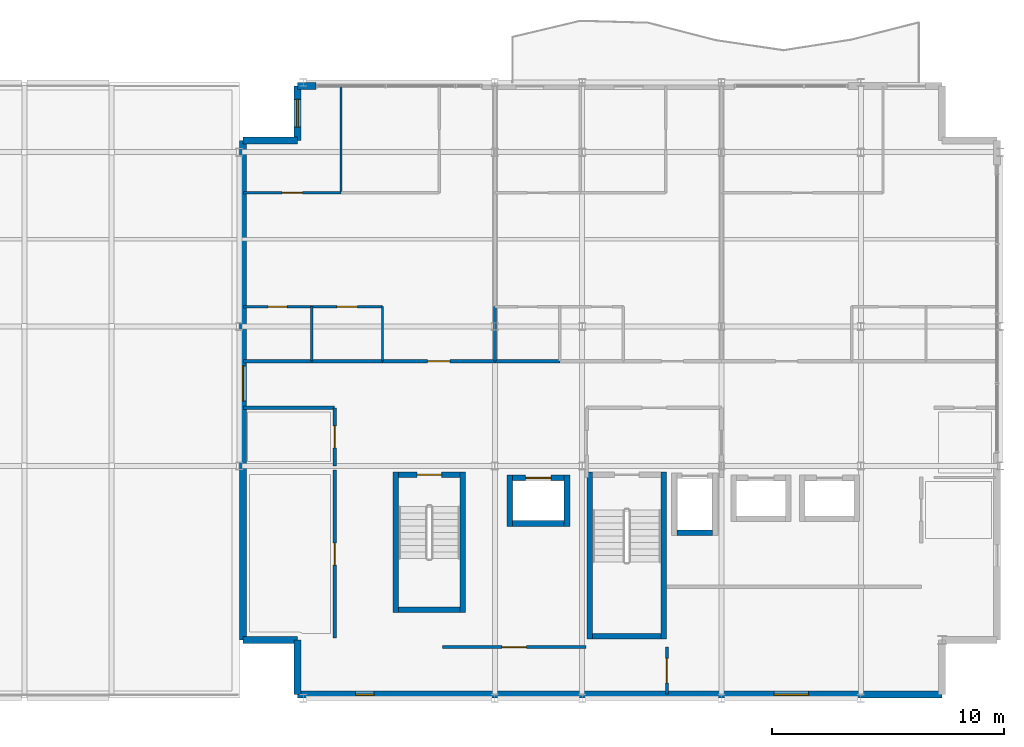
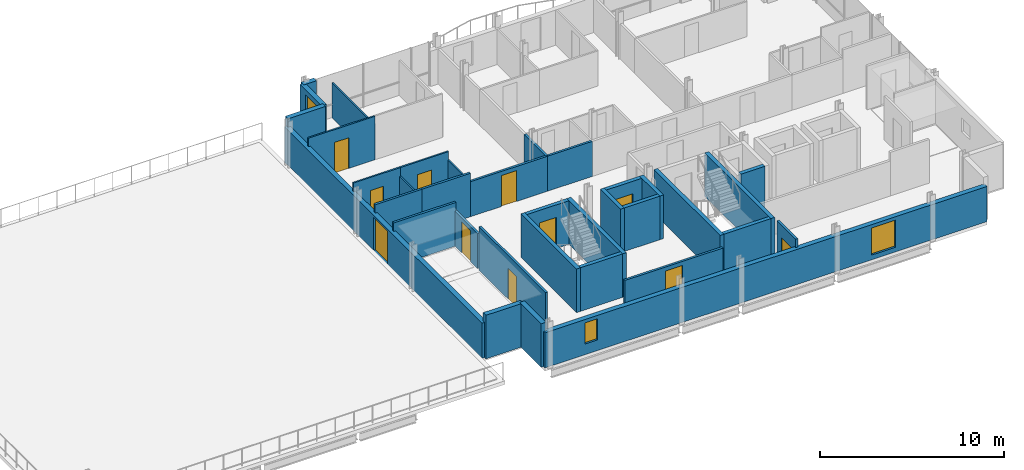
# One storey, part 13 of 17: 35 walls, 11 doors, 3 windows, 14 openings.
"""IFC4 building model written with IfcOpenShell, lengths in metres."""

from ifc_helpers import new_model, si_unit, direction, frame, frame_2d, origin, place, context, subcontext, project, spatial, rectangle, extrude, material, layer, layer_set, type_object, element, fill, save


model = new_model("IFC4")

# Units and contexts
model_context = context("Model", 3, precision=1e-05, world=origin(), true_north=direction((0.0, 1.0)))
body_context = subcontext(model_context, "Body", "Model", "MODEL_VIEW")
ifc_project = project(units=[si_unit("LENGTHUNIT", "METRE"), si_unit("AREAUNIT", "SQUARE_METRE"), si_unit("VOLUMEUNIT", "CUBIC_METRE"), si_unit("PLANEANGLEUNIT", "RADIAN"), si_unit("MASSUNIT", "GRAM", prefix="KILO")], contexts=[model_context])

# Site, building, storey
site_placement = place(None, origin())
site = spatial("IfcSite", under=ifc_project, at=site_placement, CompositionType="ELEMENT")
building_placement = place(site_placement, origin())
building = spatial("IfcBuilding", under=site, at=building_placement, Name="Brevholm Reach", CompositionType="ELEMENT")
storey_placement = place(building_placement, frame((0.0, 0.0, 221.10009765625)))
storey = spatial("IfcBuildingStorey", under=building, at=storey_placement, Name="L67", CompositionType="ELEMENT", Elevation=221.10009765625)

# Walls
ifc_material_1 = material(Name="Concrete C45/55", Category="concrete")
ifc_layer_1 = layer(ifc_material_1, 0.239990234375)
ifc_layer_set_1 = layer_set([ifc_layer_1], Name="Concrete C45/55")
wall_type_1 = type_object("IfcWallType", Name="WAL-COR-240", PredefinedType="SHEAR", material=ifc_layer_set_1)
for number, where, z_axis, x_axis, name in (
    (1, (42.330078125, 2.5400390625, 0.0), (0.0, 0.0, 1.0), (0.0, 1.0, 0.0), "L67 Escape Stair ST-2 Core Wall W"),
    (2, (45.52001953125, 2.5400390625, 0.0), (0.0, 0.0, 1.0), (0.0, 1.0, 0.0), "L67 Escape Stair ST-2 Core Wall E"),
):
    element("IfcWall", number, at=place(storey_placement, frame(where, z_axis=z_axis, x_axis=x_axis)), inside=storey, type_object=wall_type_1, Name=name, PredefinedType="SHEAR", context=body_context, shape_type="SweptSolid", body=[
        extrude(rectangle(XDim=7.199951171875, YDim=0.239990234375, at=frame_2d((3.60009765625, 0.0))), origin(), (0.0, 0.0, 1.0), 2.889892578125),
    ])
wall_1_placement = place(storey_placement, frame((42.449951171875, 2.659912109375, 0.0), z_axis=(0.0, 0.0, 1.0), x_axis=(1.0, 0.0, 0.0)))
element("IfcWall", 3, at=wall_1_placement, inside=storey, type_object=wall_type_1, Name="L67 Escape Stair ST-2 Core Wall S", PredefinedType="SHEAR", context=body_context, shape_type="SweptSolid", body=[
    extrude(rectangle(XDim=2.949951171875, YDim=0.239990234375, at=frame_2d((1.47509765625, 0.0))), origin(), (0.0, 0.0, 1.0), 2.889892578125),
])
for number, where, z_axis, x_axis, name in (
    (4, (33.97998046875, 3.679931640625, 0.0), (0.0, 0.0, 1.0), (0.0, 1.0, 0.0), "L67 Escape Stair ST-3 Core Wall W"),
    (5, (36.8701171875, 3.679931640625, 0.0), (0.0, 0.0, 1.0), (0.0, 1.0, 0.0), "L67 Escape Stair ST-3 Core Wall E"),
):
    element("IfcWall", number, at=place(storey_placement, frame(where, z_axis=z_axis, x_axis=x_axis)), inside=storey, type_object=wall_type_1, Name=name, PredefinedType="SHEAR", context=body_context, shape_type="SweptSolid", body=[
        extrude(rectangle(XDim=6.06005859375, YDim=0.239990234375, at=frame_2d((3.030029296875, 0.0))), origin(), (0.0, 0.0, 1.0), 2.889892578125),
    ])
wall_2_placement = place(storey_placement, frame((34.10009765625, 3.800048828125, 0.0), z_axis=(0.0, 0.0, 1.0), x_axis=(1.0, 0.0, 0.0)))
element("IfcWall", 6, at=wall_2_placement, inside=storey, type_object=wall_type_1, Name="L67 Escape Stair ST-3 Core Wall S", PredefinedType="SHEAR", context=body_context, shape_type="SweptSolid", body=[
    extrude(rectangle(XDim=2.64990234375, YDim=0.239990234375, at=frame_2d((1.324951171875, 0.0))), origin(), (0.0, 0.0, 1.0), 2.889892578125),
])

# Wall, opening, door
wall_3_placement = place(storey_placement, frame((36.75, 9.6201171875, 0.0), z_axis=(0.0, 0.0, 1.0), x_axis=(-1.0, 0.0, 0.0)))
wall_3 = element("IfcWall", 7, at=wall_3_placement, inside=storey, type_object=wall_type_1, Name="L67 Escape Stair ST-3 Core Wall N", PredefinedType="SHEAR", context=body_context, shape_type="SweptSolid", body=[
    extrude(rectangle(XDim=2.64990234375, YDim=0.239990234375, at=frame_2d((1.324951171875, 0.0))), origin(), (0.0, 0.0, 1.0), 2.889892578125),
])
opening_1_placement = place(wall_3_placement, frame((0.800048828125, 0.0, 0.0)))
opening_1 = element("IfcOpeningElement", 8, at=opening_1_placement, cuts=wall_3, Name="Opening SD-ST-3", PredefinedType="OPENING", context=body_context, shape_type="SweptSolid", body=[
    extrude(rectangle(XDim=1.050048828125, YDim=2.06005859375, at=frame_2d((0.52490234375, 1.030029296875))), frame((0.0, 0.1298828125, 0.0), z_axis=(0.0, -1.0, 0.0), x_axis=(1.0, 0.0, 0.0)), (0.0, 0.0, 1.0), 0.260009765625),
])
ifc_material_2 = material(Name="Hardwood-Lipped Steel-Core Fire and Smoke Door", Category="steel")
door_type_1 = type_object("IfcDoorType", Name="DOR-INT-FD60S", OperationType="NOTDEFINED", PredefinedType="DOOR", material=ifc_material_2)
door_1_placement = place(opening_1_placement, origin())
door_1 = element("IfcDoor", 9, at=door_1_placement, inside=storey, type_object=door_type_1, Name="L67 Protected Stair ST-3 Lobby Door", OperationType="SINGLE_SWING_RIGHT", OverallHeight=2.06005859375, OverallWidth=1.050048828125, PredefinedType="DOOR", context=body_context, shape_type="SweptSolid", body=[
    extrude(rectangle(XDim=1.050048828125, YDim=2.06005859375, at=frame_2d((0.52490234375, 1.030029296875))), frame((0.0, 0.02490234375, 0.0), z_axis=(0.0, -1.0, 0.0), x_axis=(1.0, 0.0, 0.0)), (0.0, 0.0, 1.0), 0.050048828125),
])
fill(opening_1, door_1)

# Walls
wall_4_placement = place(storey_placement, frame((46.090087890625, 7.1201171875, 0.0), z_axis=(0.0, 0.0, 1.0), x_axis=(1.0, 0.0, 0.0)))
element("IfcWall", 10, at=wall_4_placement, inside=storey, type_object=wall_type_1, Name="L67 Lift FFL-2 Shaft Wall S", PredefinedType="SHEAR", context=body_context, shape_type="SweptSolid", body=[
    extrude(rectangle(XDim=1.52001953125, YDim=0.239990234375, at=frame_2d((0.760009765625, 0.0))), origin(), (0.0, 0.0, 1.0), 2.889892578125),
])
for number, where, z_axis, x_axis, name in (
    (11, (38.889892578125, 7.39990234375, 0.0), (0.0, 0.0, 1.0), (0.0, 1.0, 0.0), "L67 Lift PL-S1 Shaft Wall W"),
    (12, (41.35009765625, 7.39990234375, 0.0), (0.0, 0.0, 1.0), (0.0, 1.0, 0.0), "L67 Lift PL-S1 Shaft Wall E"),
):
    element("IfcWall", number, at=place(storey_placement, frame(where, z_axis=z_axis, x_axis=x_axis)), inside=storey, type_object=wall_type_1, Name=name, PredefinedType="SHEAR", context=body_context, shape_type="SweptSolid", body=[
        extrude(rectangle(XDim=2.2001953125, YDim=0.239990234375, at=frame_2d((1.10009765625, 0.0))), origin(), (0.0, 0.0, 1.0), 2.889892578125),
    ])
wall_5_placement = place(storey_placement, frame((39.010009765625, 7.52001953125, 0.0), z_axis=(0.0, 0.0, 1.0), x_axis=(1.0, 0.0, 0.0)))
element("IfcWall", 13, at=wall_5_placement, inside=storey, type_object=wall_type_1, Name="L67 Lift PL-S1 Shaft Wall S", PredefinedType="SHEAR", context=body_context, shape_type="SweptSolid", body=[
    extrude(rectangle(XDim=2.219970703125, YDim=0.239990234375, at=frame_2d((1.10986328125, 0.0))), origin(), (0.0, 0.0, 1.0), 2.889892578125),
])

# Wall, opening, door
wall_6_placement = place(storey_placement, frame((39.010009765625, 9.47998046875, 0.0), z_axis=(0.0, 0.0, 1.0), x_axis=(1.0, 0.0, 0.0)))
wall_6 = element("IfcWall", 14, at=wall_6_placement, inside=storey, type_object=wall_type_1, Name="L67 Lift PL-S1 Shaft Wall N", PredefinedType="SHEAR", context=body_context, shape_type="SweptSolid", body=[
    extrude(rectangle(XDim=2.219970703125, YDim=0.239990234375, at=frame_2d((1.10986328125, 0.0))), origin(), (0.0, 0.0, 1.0), 2.889892578125),
])
opening_2_placement = place(wall_6_placement, frame((0.56005859375, 0.0, 0.0)))
opening_2 = element("IfcOpeningElement", 15, at=opening_2_placement, cuts=wall_6, Name="Opening LD-PL-S1", PredefinedType="OPENING", context=body_context, shape_type="SweptSolid", body=[
    extrude(rectangle(XDim=1.10009765625, YDim=2.06005859375, at=frame_2d((0.550048828125, 1.030029296875))), frame((0.0, 0.1298828125, 0.0), z_axis=(0.0, -1.0, 0.0), x_axis=(1.0, 0.0, 0.0)), (0.0, 0.0, 1.0), 0.260009765625),
])
ifc_material_3 = material(Name="Brushed Stainless Steel Fire-Rated Sliding Lift Door", Category="steel")
door_type_2 = type_object("IfcDoorType", Name="DOR-LFT-1100", OperationType="NOTDEFINED", PredefinedType="DOOR", material=ifc_material_3)
door_2_placement = place(opening_2_placement, origin())
door_2 = element("IfcDoor", 16, at=door_2_placement, inside=storey, type_object=door_type_2, Name="L67 Lift PL-S1 Sliding Landing Door", OperationType="SLIDING_TO_LEFT", OverallHeight=2.06005859375, OverallWidth=1.10009765625, PredefinedType="DOOR", context=body_context, shape_type="SweptSolid", body=[
    extrude(rectangle(XDim=1.10009765625, YDim=2.06005859375, at=frame_2d((0.550048828125, 1.030029296875))), frame((0.0, 0.02490234375, 0.0), z_axis=(0.0, -1.0, 0.0), x_axis=(1.0, 0.0, 0.0)), (0.0, 0.0, 1.0), 0.050048828125),
])
fill(opening_2, door_2)

# Walls
ifc_material_4 = material(Name="Concrete C40/50", Category="concrete")
ifc_layer_2 = layer(ifc_material_4, 0.300048828125)
ifc_layer_set_2 = layer_set([ifc_layer_2], Name="Concrete C40/50")
wall_type_2 = type_object("IfcWallType", Name="WAL-EXT-300", PredefinedType="STANDARD", material=ifc_layer_set_2)
for number, where, z_axis, x_axis, name in (
    (17, (29.75, 2.5, 0.0), (0.0, 0.0, 1.0), (0.0, -1.0, 0.0), "L67 Facade Wall WAL-L67-CSW1"),
    (18, (27.39990234375, 2.5, 0.0), (0.0, 0.0, 1.0), (1.0, 0.0, 0.0), "L67 Facade Wall WAL-L67-CSW2"),
):
    element("IfcWall", number, at=place(storey_placement, frame(where, z_axis=z_axis, x_axis=x_axis)), inside=storey, type_object=wall_type_2, Name=name, PredefinedType="STANDARD", context=body_context, shape_type="SweptSolid", body=[
        extrude(rectangle(XDim=2.35009765625, YDim=0.300048828125, at=frame_2d((1.175048828125, 0.0))), origin(), (0.0, 0.0, 1.0), 2.889892578125),
    ])

# Wall, opening, window
wall_7_placement = place(storey_placement, frame((29.75, 26.35009765625, 0.0), z_axis=(0.0, 0.0, 1.0), x_axis=(0.0, -1.0, 0.0)))
wall_7 = element("IfcWall", 19, at=wall_7_placement, inside=storey, type_object=wall_type_2, Name="L67 Facade Wall WAL-L67-CNW1", PredefinedType="STANDARD", context=body_context, shape_type="SweptSolid", body=[
    extrude(rectangle(XDim=2.35009765625, YDim=0.300048828125, at=frame_2d((1.175048828125, 0.0))), origin(), (0.0, 0.0, 1.0), 2.889892578125),
])
opening_3_placement = place(wall_7_placement, frame((0.574951171875, 0.0, 0.949951171875)))
opening_3 = element("IfcOpeningElement", 20, at=opening_3_placement, cuts=wall_7, Name="Opening WN-08", PredefinedType="OPENING", context=body_context, shape_type="SweptSolid", body=[
    extrude(rectangle(XDim=1.199951171875, YDim=1.60009765625, at=frame_2d((0.60009765625, 0.800048828125))), frame((0.0, 0.159912109375, 0.0), z_axis=(0.0, -1.0, 0.0), x_axis=(1.0, 0.0, 0.0)), (0.0, 0.0, 1.0), 0.320068359375),
])
ifc_material_5 = material(Name="Dark Anodised Aluminium and Solar-Control IGU Glass", Category="aluminium")
window_type_1 = type_object("IfcWindowType", Name="WIN-RES-1200", PartitioningType="SINGLE_PANEL", PredefinedType="WINDOW", material=ifc_material_5)
window_1_placement = place(opening_3_placement, origin())
window_1 = element("IfcWindow", 21, at=window_1_placement, inside=storey, type_object=window_type_1, Name="L67 Bedroom Window 075", OverallHeight=1.60009765625, OverallWidth=1.199951171875, PartitioningType="SINGLE_PANEL", PredefinedType="WINDOW", context=body_context, shape_type="SweptSolid", body=[
    extrude(rectangle(XDim=1.199951171875, YDim=1.60009765625, at=frame_2d((0.60009765625, 0.800048828125))), frame((0.0, 0.030029296875, 0.0), z_axis=(0.0, -1.0, 0.0), x_axis=(1.0, 0.0, 0.0)), (0.0, 0.0, 1.0), 0.06005859375),
])
fill(opening_3, window_1)

# Wall
wall_8_placement = place(storey_placement, frame((29.75, 24.0, 0.0), z_axis=(0.0, 0.0, 1.0), x_axis=(-1.0, 0.0, 0.0)))
element("IfcWall", 22, at=wall_8_placement, inside=storey, type_object=wall_type_2, Name="L67 Facade Wall WAL-L67-CNW2", PredefinedType="STANDARD", context=body_context, shape_type="SweptSolid", body=[
    extrude(rectangle(XDim=2.35009765625, YDim=0.300048828125, at=frame_2d((1.175048828125, 0.0))), origin(), (0.0, 0.0, 1.0), 2.889892578125),
])

# Wall, openings, windows
wall_9_placement = place(storey_placement, frame((29.75, 0.14990234375, 0.0), z_axis=(0.0, 0.0, 1.0), x_axis=(1.0, 0.0, 0.0)))
wall_9 = element("IfcWall", 23, at=wall_9_placement, inside=storey, type_object=wall_type_2, Name="L67 Facade Wall WAL-L67-S", PredefinedType="STANDARD", context=body_context, shape_type="SweptSolid", body=[
    extrude(rectangle(XDim=27.75, YDim=0.300048828125, at=frame_2d((13.875, 0.0))), origin(), (0.0, 0.0, 1.0), 2.331787109375),
])
opening_4_placement = place(wall_9_placement, frame((2.5, 0.0, 0.7119140625)))
opening_4 = element("IfcOpeningElement", 24, at=opening_4_placement, cuts=wall_9, Name="Opening WN-11", PredefinedType="OPENING", context=body_context, shape_type="SweptSolid", body=[
    extrude(rectangle(XDim=0.800048828125, YDim=1.39990234375, at=frame_2d((0.39990234375, 0.699951171875))), frame((0.0, 0.159912109375, 0.0), z_axis=(0.0, -1.0, 0.0), x_axis=(1.0, 0.0, 0.0)), (0.0, 0.0, 1.0), 0.320068359375),
])
opening_5_placement = place(wall_9_placement, frame((20.5, 0.0, 0.31201171875)))
opening_5 = element("IfcOpeningElement", 25, at=opening_5_placement, cuts=wall_9, Name="Opening WN-05", PredefinedType="OPENING", context=body_context, shape_type="SweptSolid", body=[
    extrude(rectangle(XDim=1.5, YDim=1.800048828125, at=frame_2d((0.75, 0.89990234375))), frame((0.0, 0.159912109375, 0.0), z_axis=(0.0, -1.0, 0.0), x_axis=(1.0, 0.0, 0.0)), (0.0, 0.0, 1.0), 0.320068359375),
])
ifc_material_6 = material(Name="Dark Anodised Aluminium and Solar-Control IGU Glass", Category="aluminium")
window_type_2 = type_object("IfcWindowType", Name="WIN-COR-0800", PartitioningType="SINGLE_PANEL", PredefinedType="WINDOW", material=ifc_material_6)
window_2_placement = place(opening_4_placement, origin())
window_2 = element("IfcWindow", 26, at=window_2_placement, inside=storey, type_object=window_type_2, Name="L67 Window WIN-L67-S-1", OverallHeight=1.39990234375, OverallWidth=0.800048828125, PartitioningType="SINGLE_PANEL", PredefinedType="WINDOW", context=body_context, shape_type="SweptSolid", body=[
    extrude(rectangle(XDim=0.800048828125, YDim=1.39990234375, at=frame_2d((0.39990234375, 0.699951171875))), frame((0.0, 0.030029296875, 0.0), z_axis=(0.0, -1.0, 0.0), x_axis=(1.0, 0.0, 0.0)), (0.0, 0.0, 1.0), 0.06005859375),
])
fill(opening_4, window_2)
ifc_material_7 = material(Name="Dark Anodised Aluminium and Solar-Control IGU Glass", Category="aluminium")
window_type_3 = type_object("IfcWindowType", Name="WIN-RES-1500", PartitioningType="SINGLE_PANEL", PredefinedType="WINDOW", material=ifc_material_7)
window_3_placement = place(opening_5_placement, origin())
window_3 = element("IfcWindow", 27, at=window_3_placement, inside=storey, type_object=window_type_3, Name="L67 Window WIN-L67-S-2", OverallHeight=1.800048828125, OverallWidth=1.5, PartitioningType="SINGLE_PANEL", PredefinedType="WINDOW", context=body_context, shape_type="SweptSolid", body=[
    extrude(rectangle(XDim=1.5, YDim=1.800048828125, at=frame_2d((0.75, 0.89990234375))), frame((0.0, 0.030029296875, 0.0), z_axis=(0.0, -1.0, 0.0), x_axis=(1.0, 0.0, 0.0)), (0.0, 0.0, 1.0), 0.06005859375),
])
fill(opening_5, window_3)

# Wall
wall_10_placement = place(storey_placement, frame((29.75, 26.35009765625, 0.0), z_axis=(0.0, 0.0, 1.0), x_axis=(1.0, 0.0, 0.0)))
element("IfcWall", 28, at=wall_10_placement, inside=storey, type_object=wall_type_2, Name="L67 Facade Wall WAL-L67-NP-1", PredefinedType="STANDARD", context=body_context, shape_type="SweptSolid", body=[
    extrude(rectangle(XDim=0.800048828125, YDim=0.300048828125, at=frame_2d((0.39990234375, 0.0))), origin(), (0.0, 0.0, 1.0), 2.889892578125),
])

# Wall, opening, door
wall_11_placement = place(storey_placement, frame((27.39990234375, 24.0, 0.0), z_axis=(0.0, 0.0, 1.0), x_axis=(0.0, -1.0, 0.0)))
wall_11 = element("IfcWall", 29, at=wall_11_placement, inside=storey, type_object=wall_type_2, Name="L67 Facade Wall WAL-L67-W", PredefinedType="STANDARD", context=body_context, shape_type="SweptSolid", body=[
    extrude(rectangle(XDim=21.5, YDim=0.300048828125, at=frame_2d((10.75, 0.0))), origin(), (0.0, 0.0, 1.0), 2.331787109375),
])
opening_6_placement = place(wall_11_placement, frame((9.699951171875, 0.0, 0.0)))
opening_6 = element("IfcOpeningElement", 30, at=opening_6_placement, cuts=wall_11, Name="Opening ED-04", PredefinedType="OPENING", context=body_context, shape_type="SweptSolid", body=[
    extrude(rectangle(XDim=1.5, YDim=2.199951171875, at=frame_2d((0.75, 1.10009765625))), frame((0.0, 0.159912109375, 0.0), z_axis=(0.0, -1.0, 0.0), x_axis=(1.0, 0.0, 0.0)), (0.0, 0.0, 1.0), 0.320068359375),
])
ifc_material_8 = material(Name="Dark Anodised Aluminium and Laminated Glass", Category="aluminium")
door_type_3 = type_object("IfcDoorType", Name="DOR-EXT-TER", OperationType="NOTDEFINED", PredefinedType="DOOR", material=ifc_material_8)
door_3_placement = place(opening_6_placement, origin())
door_3 = element("IfcDoor", 31, at=door_3_placement, inside=storey, type_object=door_type_3, Name="L67 Exterior Door DOR-L67-SUNSET", OperationType="SINGLE_SWING_LEFT", OverallHeight=2.199951171875, OverallWidth=1.5, PredefinedType="DOOR", context=body_context, shape_type="SweptSolid", body=[
    extrude(rectangle(XDim=1.5, YDim=2.199951171875, at=frame_2d((0.75, 1.10009765625))), frame((0.0, 0.02490234375, 0.0), z_axis=(0.0, -1.0, 0.0), x_axis=(1.0, 0.0, 0.0)), (0.0, 0.0, 1.0), 0.050048828125),
])
fill(opening_6, door_3)

# Wall
ifc_material_9 = material(Name="Moisture-Resistant Acoustic Gypsum Stud Partition 100 mm", Category="gypsum")
ifc_layer_3 = layer(ifc_material_9, 0.10009765625)
ifc_layer_set_3 = layer_set([ifc_layer_3], Name="Moisture-Resistant Acoustic Gypsum Stud Partition 100 mm")
wall_type_3 = type_object("IfcWallType", Name="WAL-PRT-100", PredefinedType="PARTITIONING", material=ifc_layer_set_3)
wall_12_placement = place(storey_placement, frame((30.3701171875, 14.50390625, 0.0), z_axis=(0.0, 0.0, 1.0), x_axis=(0.0, 1.0, 0.0)))
element("IfcWall", 32, at=wall_12_placement, inside=storey, type_object=wall_type_3, Name="L67 Internal Partition 023", PredefinedType="PARTITIONING", context=body_context, shape_type="SweptSolid", body=[
    extrude(rectangle(XDim=2.34619140625, YDim=0.10009765625, at=frame_2d((1.173095703125, 0.0))), origin(), (0.0, 0.0, 1.0), 2.325439453125),
])

# Wall, opening, door
wall_13_placement = place(storey_placement, frame((27.429931640625, 16.85009765625, 0.0), z_axis=(0.0, 0.0, 1.0), x_axis=(1.0, 0.0, 0.0)))
wall_13 = element("IfcWall", 33, at=wall_13_placement, inside=storey, type_object=wall_type_3, Name="L67 Internal Partition 024", PredefinedType="PARTITIONING", context=body_context, shape_type="SweptSolid", body=[
    extrude(rectangle(XDim=2.940185546875, YDim=0.10009765625, at=frame_2d((1.47021484375, 0.0))), origin(), (0.0, 0.0, 1.0), 2.889892578125),
])
opening_7_placement = place(wall_13_placement, frame((1.06005859375, 0.0, 0.0)))
opening_7 = element("IfcOpeningElement", 34, at=opening_7_placement, cuts=wall_13, Name="Opening ID-03", PredefinedType="OPENING", context=body_context, shape_type="SweptSolid", body=[
    extrude(rectangle(XDim=0.820068359375, YDim=2.02001953125, at=frame_2d((0.41015625, 1.010009765625))), frame((0.0, 0.06005859375, 0.0), z_axis=(0.0, -1.0, 0.0), x_axis=(1.0, 0.0, 0.0)), (0.0, 0.0, 1.0), 0.1201171875),
])
ifc_material_10 = material(Name="Moisture-Resistant Painted Timber Internal Bathroom Door", Category="wood")
door_type_4 = type_object("IfcDoorType", Name="DOR-BATH-820", OperationType="NOTDEFINED", PredefinedType="DOOR", material=ifc_material_10)
door_4_placement = place(opening_7_placement, origin())
door_4 = element("IfcDoor", 35, at=door_4_placement, inside=storey, type_object=door_type_4, Name="L67 Internal Door 013", OperationType="SINGLE_SWING_RIGHT", OverallHeight=2.02001953125, OverallWidth=0.820068359375, PredefinedType="DOOR", context=body_context, shape_type="SweptSolid", body=[
    extrude(rectangle(XDim=0.820068359375, YDim=2.02001953125, at=frame_2d((0.41015625, 1.010009765625))), frame((0.0, 0.02490234375, 0.0), z_axis=(0.0, -1.0, 0.0), x_axis=(1.0, 0.0, 0.0)), (0.0, 0.0, 1.0), 0.050048828125),
])
fill(opening_7, door_4)

# Wall
wall_14_placement = place(storey_placement, frame((33.407958984375, 14.50390625, 0.0), z_axis=(0.0, 0.0, 1.0), x_axis=(0.0, 1.0, 0.0)))
element("IfcWall", 36, at=wall_14_placement, inside=storey, type_object=wall_type_3, Name="L67 Internal Partition 025", PredefinedType="PARTITIONING", context=body_context, shape_type="SweptSolid", body=[
    extrude(rectangle(XDim=2.34619140625, YDim=0.10009765625, at=frame_2d((1.173095703125, 0.0))), origin(), (0.0, 0.0, 1.0), 2.325439453125),
])

# Wall, opening, door
wall_15_placement = place(storey_placement, frame((30.3740234375, 16.85009765625, 0.0), z_axis=(0.0, 0.0, 1.0), x_axis=(1.0, 0.0, 0.0)))
wall_15 = element("IfcWall", 37, at=wall_15_placement, inside=storey, type_object=wall_type_3, Name="L67 Internal Partition 026", PredefinedType="PARTITIONING", context=body_context, shape_type="SweptSolid", body=[
    extrude(rectangle(XDim=3.033935546875, YDim=0.10009765625, at=frame_2d((1.51708984375, 0.0))), origin(), (0.0, 0.0, 1.0), 2.889892578125),
])
opening_8_placement = place(wall_15_placement, frame((1.076904296875, 0.0, 0.0)))
opening_8 = element("IfcOpeningElement", 38, at=opening_8_placement, cuts=wall_15, Name="Opening ID-01", PredefinedType="OPENING", context=body_context, shape_type="SweptSolid", body=[
    extrude(rectangle(XDim=0.8798828125, YDim=2.0400390625, at=frame_2d((0.43994140625, 1.02001953125))), frame((0.0, 0.06005859375, 0.0), z_axis=(0.0, -1.0, 0.0), x_axis=(1.0, 0.0, 0.0)), (0.0, 0.0, 1.0), 0.1201171875),
])
ifc_material_11 = material(Name="Lacquered Ash Solid-Core Acoustic Internal Door", Category="timber")
door_type_5 = type_object("IfcDoorType", Name="DOR-INT-880", OperationType="NOTDEFINED", PredefinedType="DOOR", material=ifc_material_11)
door_5_placement = place(opening_8_placement, origin())
door_5 = element("IfcDoor", 39, at=door_5_placement, inside=storey, type_object=door_type_5, Name="L67 Internal Door 014", OperationType="SINGLE_SWING_LEFT", OverallHeight=2.0400390625, OverallWidth=0.8798828125, PredefinedType="DOOR", context=body_context, shape_type="SweptSolid", body=[
    extrude(rectangle(XDim=0.8798828125, YDim=2.0400390625, at=frame_2d((0.43994140625, 1.02001953125))), frame((0.0, 0.02490234375, 0.0), z_axis=(0.0, -1.0, 0.0), x_axis=(1.0, 0.0, 0.0)), (0.0, 0.0, 1.0), 0.050048828125),
])
fill(opening_8, door_5)

# Wall
wall_16_placement = place(storey_placement, frame((31.625, 21.75, 0.0), z_axis=(0.0, 0.0, 1.0), x_axis=(0.0, 1.0, 0.0)))
element("IfcWall", 40, at=wall_16_placement, inside=storey, type_object=wall_type_3, Name="L67 Internal Partition 027", PredefinedType="PARTITIONING", context=body_context, shape_type="SweptSolid", body=[
    extrude(rectangle(XDim=4.570068359375, YDim=0.10009765625, at=frame_2d((2.28515625, 0.0))), origin(), (0.0, 0.0, 1.0), 2.325439453125),
])

# Wall, opening, door
wall_17_placement = place(storey_placement, frame((27.429931640625, 21.75, 0.0), z_axis=(0.0, 0.0, 1.0), x_axis=(1.0, 0.0, 0.0)))
wall_17 = element("IfcWall", 41, at=wall_17_placement, inside=storey, type_object=wall_type_3, Name="L67 Internal Partition 028", PredefinedType="PARTITIONING", context=body_context, shape_type="SweptSolid", body=[
    extrude(rectangle(XDim=4.195068359375, YDim=0.10009765625, at=frame_2d((2.09765625, 0.0))), origin(), (0.0, 0.0, 1.0), 2.889892578125),
])
opening_9_placement = place(wall_17_placement, frame((1.657470703125, 0.0, 0.0)))
opening_9 = element("IfcOpeningElement", 42, at=opening_9_placement, cuts=wall_17, Name="Opening ID-01", PredefinedType="OPENING", context=body_context, shape_type="SweptSolid", body=[
    extrude(rectangle(XDim=0.8798828125, YDim=2.0400390625, at=frame_2d((0.43994140625, 1.02001953125))), frame((0.0, 0.06005859375, 0.0), z_axis=(0.0, -1.0, 0.0), x_axis=(1.0, 0.0, 0.0)), (0.0, 0.0, 1.0), 0.1201171875),
])
door_6_placement = place(opening_9_placement, origin())
door_6 = element("IfcDoor", 43, at=door_6_placement, inside=storey, type_object=door_type_5, Name="L67 Internal Door 015", OperationType="SINGLE_SWING_RIGHT", OverallHeight=2.0400390625, OverallWidth=0.8798828125, PredefinedType="DOOR", context=body_context, shape_type="SweptSolid", body=[
    extrude(rectangle(XDim=0.8798828125, YDim=2.0400390625, at=frame_2d((0.43994140625, 1.02001953125))), frame((0.0, 0.02490234375, 0.0), z_axis=(0.0, -1.0, 0.0), x_axis=(1.0, 0.0, 0.0)), (0.0, 0.0, 1.0), 0.050048828125),
])
fill(opening_9, door_6)

ifc_material_12 = material(Name="Twin-Stud Acoustic Fire-Rated Gypsum Partition 140 mm", Category="gypsum")
ifc_layer_4 = layer(ifc_material_12, 0.139892578125)
ifc_layer_set_4 = layer_set([ifc_layer_4], Name="Twin-Stud Acoustic Fire-Rated Gypsum Partition 140 mm")
wall_type_4 = type_object("IfcWallType", Name="WAL-PRT-140", PredefinedType="PARTITIONING", material=ifc_layer_set_4)
wall_18_placement = place(storey_placement, frame((31.35009765625, 2.588623046875, 0.0), z_axis=(0.0, 0.0, 1.0), x_axis=(0.0, 1.0, 0.0)))
wall_18 = element("IfcWall", 44, at=wall_18_placement, inside=storey, type_object=wall_type_4, Name="L67 Internal Partition 001", PredefinedType="PARTITIONING", context=body_context, shape_type="SweptSolid", body=[
    extrude(rectangle(XDim=7.22265625, YDim=0.139892578125, at=frame_2d((3.611328125, 0.0))), origin(), (0.0, 0.0, 1.0), 2.889892578125),
])
opening_10_placement = place(wall_18_placement, frame((3.13623046875, 0.0, 0.0)))
opening_10 = element("IfcOpeningElement", 45, at=opening_10_placement, cuts=wall_18, Name="Opening ID-30", PredefinedType="OPENING", context=body_context, shape_type="SweptSolid", body=[
    extrude(rectangle(XDim=0.949951171875, YDim=2.050048828125, at=frame_2d((0.47509765625, 1.02490234375))), frame((0.0, 0.079833984375, 0.0), z_axis=(0.0, -1.0, 0.0), x_axis=(1.0, 0.0, 0.0)), (0.0, 0.0, 1.0), 0.159912109375),
])
ifc_material_13 = material(Name="European Oak Veneered Solid-Core Fire Entrance Door", Category="timber")
door_type_6 = type_object("IfcDoorType", Name="DOR-FLT-FD30S", OperationType="NOTDEFINED", PredefinedType="DOOR", material=ifc_material_13)
door_7_placement = place(opening_10_placement, origin())
door_7 = element("IfcDoor", 46, at=door_7_placement, inside=storey, type_object=door_type_6, Name="L67 Internal Door 001", OperationType="SINGLE_SWING_RIGHT", OverallHeight=2.050048828125, OverallWidth=0.949951171875, PredefinedType="DOOR", context=body_context, shape_type="SweptSolid", body=[
    extrude(rectangle(XDim=0.949951171875, YDim=2.050048828125, at=frame_2d((0.47509765625, 1.02490234375))), frame((0.0, 0.02490234375, 0.0), z_axis=(0.0, -1.0, 0.0), x_axis=(1.0, 0.0, 0.0)), (0.0, 0.0, 1.0), 0.050048828125),
])
fill(opening_10, door_7)

wall_19_placement = place(storey_placement, frame((31.35009765625, 9.98876953125, 0.0), z_axis=(0.0, 0.0, 1.0), x_axis=(0.0, 1.0, 0.0)))
wall_19 = element("IfcWall", 47, at=wall_19_placement, inside=storey, type_object=wall_type_4, Name="L67 Internal Partition 002", PredefinedType="PARTITIONING", context=body_context, shape_type="SweptSolid", body=[
    extrude(rectangle(XDim=2.51123046875, YDim=0.139892578125, at=frame_2d((1.255615234375, 0.0))), origin(), (0.0, 0.0, 1.0), 2.325439453125),
])
opening_11_placement = place(wall_19_placement, frame((0.78076171875, 0.0, 0.0)))
opening_11 = element("IfcOpeningElement", 48, at=opening_11_placement, cuts=wall_19, Name="Opening ID-30", PredefinedType="OPENING", context=body_context, shape_type="SweptSolid", body=[
    extrude(rectangle(XDim=0.949951171875, YDim=2.050048828125, at=frame_2d((0.47509765625, 1.02490234375))), frame((0.0, 0.079833984375, 0.0), z_axis=(0.0, -1.0, 0.0), x_axis=(1.0, 0.0, 0.0)), (0.0, 0.0, 1.0), 0.159912109375),
])
door_8_placement = place(opening_11_placement, origin())
door_8 = element("IfcDoor", 49, at=door_8_placement, inside=storey, type_object=door_type_6, Name="L67 Internal Door 002", OperationType="SINGLE_SWING_LEFT", OverallHeight=2.050048828125, OverallWidth=0.949951171875, PredefinedType="DOOR", context=body_context, shape_type="SweptSolid", body=[
    extrude(rectangle(XDim=0.949951171875, YDim=2.050048828125, at=frame_2d((0.47509765625, 1.02490234375))), frame((0.0, 0.02490234375, 0.0), z_axis=(0.0, -1.0, 0.0), x_axis=(1.0, 0.0, 0.0)), (0.0, 0.0, 1.0), 0.050048828125),
])
fill(opening_11, door_8)

wall_20_placement = place(storey_placement, frame((35.98876953125, 2.199951171875, 0.0), z_axis=(0.0, 0.0, 1.0), x_axis=(1.0, 0.0, 0.0)))
wall_20 = element("IfcWall", 50, at=wall_20_placement, inside=storey, type_object=wall_type_4, Name="L67 Internal Partition 003", PredefinedType="PARTITIONING", context=body_context, shape_type="SweptSolid", body=[
    extrude(rectangle(XDim=6.172607421875, YDim=0.139892578125, at=frame_2d((3.08642578125, 0.0))), origin(), (0.0, 0.0, 1.0), 2.325439453125),
])
opening_12_placement = place(wall_20_placement, frame((2.561279296875, 0.0, 0.0)))
opening_12 = element("IfcOpeningElement", 51, at=opening_12_placement, cuts=wall_20, Name="Opening FD-01", PredefinedType="OPENING", context=body_context, shape_type="SweptSolid", body=[
    extrude(rectangle(XDim=1.050048828125, YDim=2.06005859375, at=frame_2d((0.52490234375, 1.030029296875))), frame((0.0, 0.079833984375, 0.0), z_axis=(0.0, -1.0, 0.0), x_axis=(1.0, 0.0, 0.0)), (0.0, 0.0, 1.0), 0.159912109375),
])
door_9_placement = place(opening_12_placement, origin())
door_9 = element("IfcDoor", 52, at=door_9_placement, inside=storey, type_object=door_type_1, Name="L67 Internal Door 003", OperationType="SINGLE_SWING_RIGHT", OverallHeight=2.06005859375, OverallWidth=1.050048828125, PredefinedType="DOOR", context=body_context, shape_type="SweptSolid", body=[
    extrude(rectangle(XDim=1.050048828125, YDim=2.06005859375, at=frame_2d((0.52490234375, 1.030029296875))), frame((0.0, 0.02490234375, 0.0), z_axis=(0.0, -1.0, 0.0), x_axis=(1.0, 0.0, 0.0)), (0.0, 0.0, 1.0), 0.050048828125),
])
fill(opening_12, door_9)

wall_21_placement = place(storey_placement, frame((45.64990234375, 0.179931640625, 0.0), z_axis=(0.0, 0.0, 1.0), x_axis=(0.0, 1.0, 0.0)))
wall_21 = element("IfcWall", 53, at=wall_21_placement, inside=storey, type_object=wall_type_4, Name="L67 Internal Partition 004", PredefinedType="PARTITIONING", context=body_context, shape_type="SweptSolid", body=[
    extrude(rectangle(XDim=2.02001953125, YDim=0.139892578125, at=frame_2d((1.010009765625, 0.0))), origin(), (0.0, 0.0, 1.0), 2.889892578125),
])
opening_13_placement = place(wall_21_placement, frame((0.485107421875, 0.0, 0.0)))
opening_13 = element("IfcOpeningElement", 54, at=opening_13_placement, cuts=wall_21, Name="Opening FD-01", PredefinedType="OPENING", context=body_context, shape_type="SweptSolid", body=[
    extrude(rectangle(XDim=1.050048828125, YDim=2.06005859375, at=frame_2d((0.52490234375, 1.030029296875))), frame((0.0, 0.079833984375, 0.0), z_axis=(0.0, -1.0, 0.0), x_axis=(1.0, 0.0, 0.0)), (0.0, 0.0, 1.0), 0.159912109375),
])
door_10_placement = place(opening_13_placement, origin())
door_10 = element("IfcDoor", 55, at=door_10_placement, inside=storey, type_object=door_type_1, Name="L67 Internal Door 004", OperationType="SINGLE_SWING_LEFT", OverallHeight=2.06005859375, OverallWidth=1.050048828125, PredefinedType="DOOR", context=body_context, shape_type="SweptSolid", body=[
    extrude(rectangle(XDim=1.050048828125, YDim=2.06005859375, at=frame_2d((0.52490234375, 1.030029296875))), frame((0.0, 0.02490234375, 0.0), z_axis=(0.0, -1.0, 0.0), x_axis=(1.0, 0.0, 0.0)), (0.0, 0.0, 1.0), 0.050048828125),
])
fill(opening_13, door_10)

# Walls
wall_22_placement = place(storey_placement, frame((27.429931640625, 12.5, 0.0), z_axis=(0.0, 0.0, 1.0), x_axis=(1.0, 0.0, 0.0)))
element("IfcWall", 56, at=wall_22_placement, inside=storey, type_object=wall_type_4, Name="L67 Internal Partition 013", PredefinedType="PARTITIONING", context=body_context, shape_type="SweptSolid", body=[
    extrude(rectangle(XDim=3.916015625, YDim=0.139892578125, at=frame_2d((1.9580078125, 0.0))), origin(), (0.0, 0.0, 1.0), 2.889892578125),
])
wall_23_placement = place(storey_placement, frame((27.429931640625, 14.5, 0.0), z_axis=(0.0, 0.0, 1.0), x_axis=(1.0, 0.0, 0.0)))
element("IfcWall", 57, at=wall_23_placement, inside=storey, type_object=wall_type_4, Name="L67 Internal Partition 014", PredefinedType="PARTITIONING", context=body_context, shape_type="SweptSolid", body=[
    extrude(rectangle(XDim=2.951416015625, YDim=0.139892578125, at=frame_2d((1.4755859375, 0.0))), origin(), (0.0, 0.0, 1.0), 2.889892578125),
])
wall_24_placement = place(storey_placement, frame((30.36279296875, 14.5, 0.0), z_axis=(0.0, 0.0, 1.0), x_axis=(1.0, 0.0, 0.0)))
element("IfcWall", 58, at=wall_24_placement, inside=storey, type_object=wall_type_4, Name="L67 Internal Partition 015", PredefinedType="PARTITIONING", context=body_context, shape_type="SweptSolid", body=[
    extrude(rectangle(XDim=3.056396484375, YDim=0.139892578125, at=frame_2d((1.5283203125, 0.0))), origin(), (0.0, 0.0, 1.0), 2.889892578125),
])

# Wall, opening, door
wall_25_placement = place(storey_placement, frame((33.400634765625, 14.5, 0.0), z_axis=(0.0, 0.0, 1.0), x_axis=(1.0, 0.0, 0.0)))
wall_25 = element("IfcWall", 59, at=wall_25_placement, inside=storey, type_object=wall_type_4, Name="L67 Internal Partition 016", PredefinedType="PARTITIONING", context=body_context, shape_type="SweptSolid", body=[
    extrude(rectangle(XDim=4.860595703125, YDim=0.139892578125, at=frame_2d((2.43017578125, 0.0))), origin(), (0.0, 0.0, 1.0), 2.325439453125),
])
opening_14_placement = place(wall_25_placement, frame((1.955322265625, 0.0, 0.0)))
opening_14 = element("IfcOpeningElement", 60, at=opening_14_placement, cuts=wall_25, Name="Opening ID-30", PredefinedType="OPENING", context=body_context, shape_type="SweptSolid", body=[
    extrude(rectangle(XDim=0.949951171875, YDim=2.050048828125, at=frame_2d((0.47509765625, 1.02490234375))), frame((0.0, 0.079833984375, 0.0), z_axis=(0.0, -1.0, 0.0), x_axis=(1.0, 0.0, 0.0)), (0.0, 0.0, 1.0), 0.159912109375),
])
door_11_placement = place(opening_14_placement, origin())
door_11 = element("IfcDoor", 61, at=door_11_placement, inside=storey, type_object=door_type_6, Name="L67 Internal Door 010", OperationType="SINGLE_SWING_LEFT", OverallHeight=2.050048828125, OverallWidth=0.949951171875, PredefinedType="DOOR", context=body_context, shape_type="SweptSolid", body=[
    extrude(rectangle(XDim=0.949951171875, YDim=2.050048828125, at=frame_2d((0.47509765625, 1.02490234375))), frame((0.0, 0.02490234375, 0.0), z_axis=(0.0, -1.0, 0.0), x_axis=(1.0, 0.0, 0.0)), (0.0, 0.0, 1.0), 0.050048828125),
])
fill(opening_14, door_11)

# Walls
wall_26_placement = place(storey_placement, frame((38.24267578125, 14.5, 0.0), z_axis=(0.0, 0.0, 1.0), x_axis=(1.0, 0.0, 0.0)))
element("IfcWall", 62, at=wall_26_placement, inside=storey, type_object=wall_type_4, Name="L67 Internal Partition 017", PredefinedType="PARTITIONING", context=body_context, shape_type="SweptSolid", body=[
    extrude(rectangle(XDim=2.8115234375, YDim=0.139892578125, at=frame_2d((1.40576171875, 0.0))), origin(), (0.0, 0.0, 1.0), 2.325439453125),
])
wall_27_placement = place(storey_placement, frame((38.25, 14.50390625, 0.0), z_axis=(0.0, 0.0, 1.0), x_axis=(0.0, 1.0, 0.0)))
element("IfcWall", 63, at=wall_27_placement, inside=storey, type_object=wall_type_4, Name="L67 Internal Partition 031", PredefinedType="PARTITIONING", context=body_context, shape_type="SweptSolid", body=[
    extrude(rectangle(XDim=2.357421875, YDim=0.139892578125, at=frame_2d((1.1787109375, 0.0))), origin(), (0.0, 0.0, 1.0), 2.325439453125),
])

save(model, "model.ifc")
